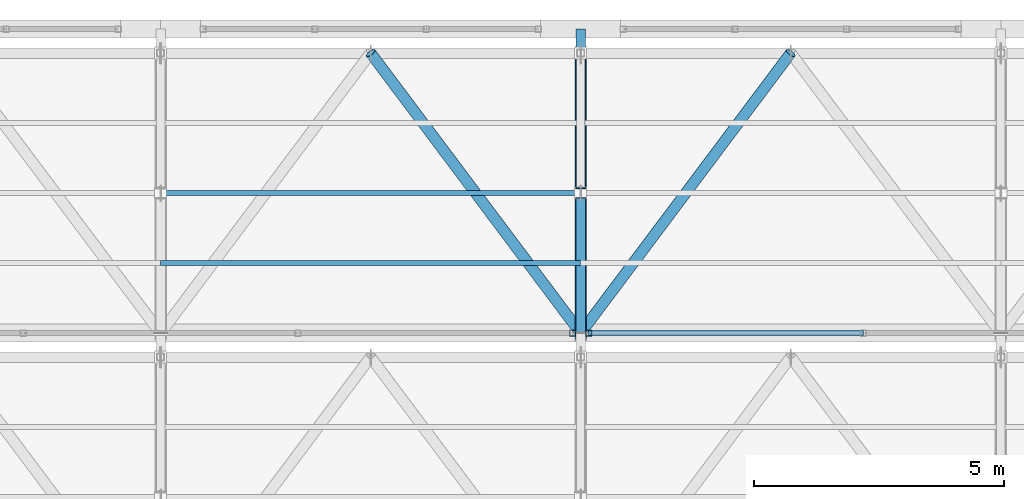
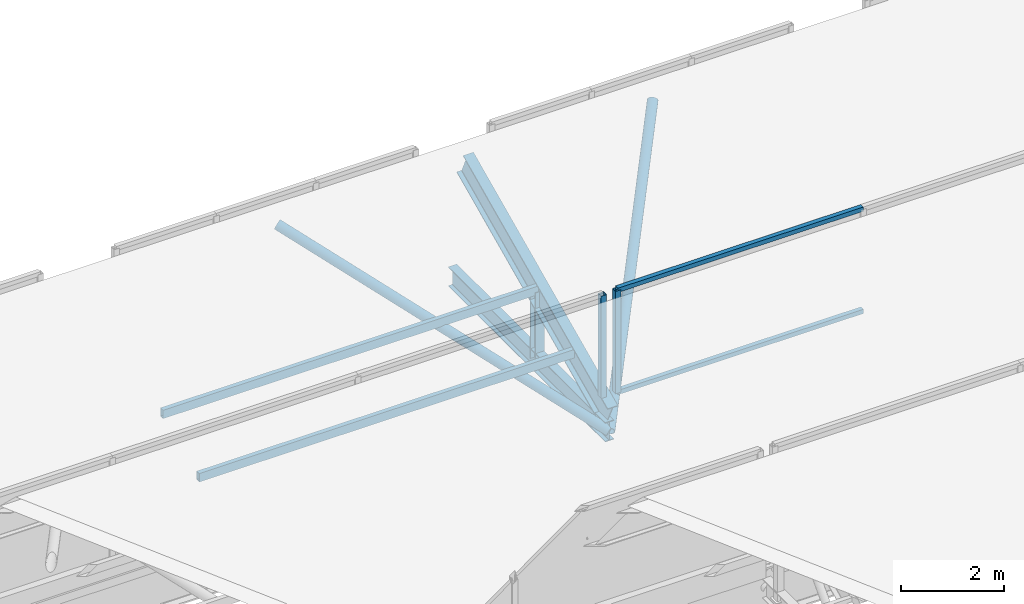
# One storey, part 124 of 217: 11 members, 2 elements without a shape of their own.
"""IFC4 building model written with IfcOpenShell, lengths in metres."""

from ifc_helpers import new_model, si_unit, direction, frame, origin, origin_2d, place, context, subcontext, project, spatial, hollow_rectangle, hollow_circle, i_section, extrude, material, material_profile, profile_set, type_object, element, aggregate, save


model = new_model("IFC4")

# Units and contexts
model_context = context("Model", 3, precision=1e-05, world=origin(), true_north=direction((0.0, 1.0)))
body_context = subcontext(model_context, "Body", "Model", "MODEL_VIEW")
ifc_project = project(units=[si_unit("LENGTHUNIT", "METRE"), si_unit("AREAUNIT", "SQUARE_METRE"), si_unit("VOLUMEUNIT", "CUBIC_METRE"), si_unit("PLANEANGLEUNIT", "RADIAN"), si_unit("MASSUNIT", "GRAM", prefix="KILO")], contexts=[model_context])

# Site, building, storey
site_placement = place(None, origin())
site = spatial("IfcSite", under=ifc_project, at=site_placement, CompositionType="ELEMENT")
building_placement = place(site_placement, origin())
building = spatial("IfcBuilding", under=site, at=building_placement, Name="Zuvorla Pavilion Media Centre", CompositionType="ELEMENT")
storey_placement = place(building_placement, frame((0.0, 0.0, 9.60009765625)))
storey = spatial("IfcBuildingStorey", under=building, at=storey_placement, Name="L02", CompositionType="ELEMENT", Elevation=9.60009765625)

# Curtain wall, member
ifc_material_1 = material(Name="Unitised anodised aluminium and solar glass curtain wall", Category="aluminium")
curtain_wall_type = type_object("IfcCurtainWallType", Name="CW-SYS-88", PredefinedType="USERDEFINED", material=ifc_material_1)
curtain_wall_1_placement = place(storey_placement, origin())
curtain_wall_1 = element("IfcCurtainWall", 1, at=curtain_wall_1_placement, inside=storey, type_object=curtain_wall_type, Name="L02 curtain wall CW88 214", ObjectType="CURTAIN WALL", PredefinedType="USERDEFINED")
ifc_material_2 = material(Name="Anodised aluminium 6063-T6", Category="aluminium")
ifc_material_profile_1 = material_profile(ifc_material_2, hollow_rectangle(XDim=0.1201171875, YDim=0.1201171875, WallThickness=0.0048828125, at=origin_2d()), Name="ALU MULL 120x120")
ifc_profile_set_1 = profile_set([ifc_material_profile_1], Name="Anodised aluminium 6063-T6")
member_type_1 = type_object("IfcMemberType", Name="CW-MULL-120", PredefinedType="MULLION", material=ifc_profile_set_1)
member_1_placement = place(storey_placement, frame((117.0400390625, 113.919921875, 0.0), z_axis=(0.0, 0.0, 1.0), x_axis=(1.0, 0.0, 0.0)))
member_1 = element("IfcMember", 2, at=member_1_placement, type_object=member_type_1, Name="CW88 mullion 4", PredefinedType="MULLION", context=body_context, shape_type="SweptSolid", body=[
    extrude(hollow_rectangle(XDim=0.1201171875, YDim=0.1201171875, WallThickness=0.0048828125, at=origin_2d()), origin(), (0.0, 0.0, 1.0), 2.419921875),
])
aggregate(curtain_wall_1, [member_1])

# Curtain wall, members
curtain_wall_2_placement = place(storey_placement, origin())
curtain_wall_2 = element("IfcCurtainWall", 3, at=curtain_wall_2_placement, inside=storey, type_object=curtain_wall_type, Name="L02 curtain wall CW88 215", ObjectType="CURTAIN WALL", PredefinedType="USERDEFINED")
member_2_placement = place(storey_placement, frame((117.360107421875, 113.919921875, 0.0), z_axis=(0.0, 0.0, 1.0), x_axis=(1.0, 0.0, 0.0)))
member_2 = element("IfcMember", 4, at=member_2_placement, type_object=member_type_1, Name="CW88 mullion 1", PredefinedType="MULLION", context=body_context, shape_type="SweptSolid", body=[
    extrude(hollow_rectangle(XDim=0.1201171875, YDim=0.1201171875, WallThickness=0.0048828125, at=origin_2d()), origin(), (0.0, 0.0, 1.0), 2.419921875),
])
ifc_material_profile_2 = material_profile(ifc_material_2, hollow_rectangle(XDim=0.10009765625, YDim=0.10009765625, WallThickness=0.00439453125, at=origin_2d()), Name="ALU TRAN 100x100")
ifc_profile_set_2 = profile_set([ifc_material_profile_2], Name="Anodised aluminium 6063-T6")
member_type_2 = type_object("IfcMemberType", Name="CW-TRAN-100", PredefinedType="USERDEFINED", material=ifc_profile_set_2)
member_3_placement = place(storey_placement, frame((117.360107421875, 113.919921875, 0.0), z_axis=(1.0, 0.0, 0.0), x_axis=(0.0, 1.0, 0.0)))
member_3 = element("IfcMember", 5, at=member_3_placement, type_object=member_type_2, Name="CW88 transom 1.1", ObjectType="TRANSOM", PredefinedType="USERDEFINED", context=body_context, shape_type="SweptSolid", body=[
    extrude(hollow_rectangle(XDim=0.10009765625, YDim=0.10009765625, WallThickness=0.00439453125, at=origin_2d()), origin(), (0.0, 0.0, 1.0), 5.4931640625),
])
member_4_placement = place(storey_placement, frame((117.360107421875, 113.919921875, 2.419921875), z_axis=(1.0, 0.0, 0.0), x_axis=(0.0, 1.0, 0.0)))
member_4 = element("IfcMember", 6, at=member_4_placement, type_object=member_type_2, Name="CW88 transom 1.2", ObjectType="TRANSOM", PredefinedType="USERDEFINED", context=body_context, shape_type="SweptSolid", body=[
    extrude(hollow_rectangle(XDim=0.10009765625, YDim=0.10009765625, WallThickness=0.00439453125, at=origin_2d()), origin(), (0.0, 0.0, 1.0), 5.4931640625),
])
aggregate(curtain_wall_2, [member_2, member_3, member_4])

# Members
ifc_material_3 = material(Name="Steel S355", Category="steel")
ifc_material_profile_3 = material_profile(ifc_material_3, hollow_circle(Radius=0.109619140625, WallThickness=0.010009765625, at=origin_2d()), Name="CHS 219.1x10")
ifc_profile_set_3 = profile_set([ifc_material_profile_3], Name="Steel S355")
member_type_3 = type_object("IfcMemberType", Name="MEM-BRC-CHS219", PredefinedType="BRACE", material=ifc_profile_set_3)
for number, where, z_axis, x_axis, name in (
    (7, (113.0, 119.52001953125, 2.08349609375), (0.552511596944, -0.736703540702, -0.389870271191), (0.800008370399, 0.599988839305, 0.0), "L02 diagonal brace TB02 482"),
    (8, (117.199951171875, 113.919921875, -0.880126953125), (0.552511596944, 0.736703540702, 0.389870271191), (-0.800008370399, 0.599988839305, 0.0), "L02 diagonal brace TB02 487"),
):
    element("IfcMember", number, at=place(storey_placement, frame(where, z_axis=z_axis, x_axis=x_axis)), inside=storey, type_object=member_type_3, Name=name, PredefinedType="BRACE", context=body_context, shape_type="SweptSolid", body=[
        extrude(hollow_circle(Radius=0.109619140625, WallThickness=0.010009765625, at=origin_2d()), origin(), (0.0, 0.0, 1.0), 7.6015625),
    ])
ifc_material_profile_4 = material_profile(ifc_material_3, i_section(OverallWidth=0.19140625, OverallDepth=0.4599609375, WebThickness=0.010009765625, FlangeThickness=0.01611328125, FilletRadius=0.01025390625, at=origin_2d()), Name="UB 457x191x82")
ifc_profile_set_4 = profile_set([ifc_material_profile_4], Name="Steel S355")
member_type_4 = type_object("IfcMemberType", Name="MEM-CHD-UB457", PredefinedType="CHORD", material=ifc_profile_set_4)
member_5_placement = place(storey_placement, frame((117.199951171875, 113.919921875, -0.880126953125), z_axis=(0.0, 1.0, 0.0), x_axis=(-1.0, 0.0, 0.0)))
element("IfcMember", 9, at=member_5_placement, inside=storey, type_object=member_type_4, Name="L02 chord TC03 435", PredefinedType="CHORD", context=body_context, shape_type="SweptSolid", body=[
    extrude(i_section(OverallWidth=0.19140625, OverallDepth=0.4599609375, WebThickness=0.010009765625, FlangeThickness=0.01611328125, FilletRadius=0.01025390625, at=origin_2d()), origin(), (0.0, 0.0, 1.0), 6.080078125),
])
ifc_material_profile_5 = material_profile(ifc_material_3, i_section(OverallWidth=0.22900390625, OverallDepth=0.6123046875, WebThickness=0.011962890625, FlangeThickness=0.01953125, FilletRadius=0.0126953125, at=origin_2d()), Name="UB 610x229x125")
ifc_profile_set_5 = profile_set([ifc_material_profile_5], Name="Steel S355")
member_type_5 = type_object("IfcMemberType", Name="MEM-CHD-UB610", PredefinedType="CHORD", material=ifc_profile_set_5)
member_6_placement = place(storey_placement, frame((117.199951171875, 113.919921875, -0.5166015625), z_axis=(0.0, 0.907005731366, 0.421118277053), x_axis=(-1.0, 0.0, 0.0)))
element("IfcMember", 10, at=member_6_placement, inside=storey, type_object=member_type_5, Name="L02 chord TC01 436", PredefinedType="CHORD", context=body_context, shape_type="SweptSolid", body=[
    extrude(i_section(OverallWidth=0.22900390625, OverallDepth=0.6123046875, WebThickness=0.011962890625, FlangeThickness=0.01953125, FilletRadius=0.0126953125, at=origin_2d()), origin(), (0.0, 0.0, 1.0), 6.17431640625),
])
ifc_material_profile_6 = material_profile(ifc_material_3, hollow_rectangle(XDim=0.10009765625, YDim=0.199951171875, WallThickness=0.008056640625, at=origin_2d()), Name="RHS 200x100x8")
ifc_profile_set_6 = profile_set([ifc_material_profile_6], Name="Steel S355")
member_type_6 = type_object("IfcMemberType", Name="MEM-PUR-RHS200", PredefinedType="PURLIN", material=ifc_profile_set_6)
for number, where, z_axis, x_axis, name in (
    (11, (108.800048828125, 115.320068359375, 0.133544921875), (1.0, 0.0, 0.0), (0.0, 1.0, 0.0), "L02 purlin PR01 483"),
    (12, (108.800048828125, 116.719970703125, 0.783447265625), (1.0, 0.0, 0.0), (0.0, 1.0, 0.0), "L02 purlin PR01 484"),
):
    element("IfcMember", number, at=place(storey_placement, frame(where, z_axis=z_axis, x_axis=x_axis)), inside=storey, type_object=member_type_6, Name=name, PredefinedType="PURLIN", context=body_context, shape_type="SweptSolid", body=[
        extrude(hollow_rectangle(XDim=0.10009765625, YDim=0.199951171875, WallThickness=0.008056640625, at=origin_2d()), origin(), (0.0, 0.0, 1.0), 8.39990234375),
    ])
ifc_material_profile_7 = material_profile(ifc_material_3, i_section(OverallWidth=0.205810546875, OverallDepth=0.209716796875, WebThickness=0.009521484375, FlangeThickness=0.01416015625, FilletRadius=0.01025390625, at=origin_2d()), Name="UC 203x203x60")
ifc_profile_set_7 = profile_set([ifc_material_profile_7], Name="Steel S355")
member_type_7 = type_object("IfcMemberType", Name="MEM-STR-UC203", PredefinedType="STRUT", material=ifc_profile_set_7)
member_7_placement = place(storey_placement, frame((117.199951171875, 116.719970703125, -0.880126953125), z_axis=(0.0, 0.0, 1.0), x_axis=(1.0, 0.0, 0.0)))
element("IfcMember", 13, at=member_7_placement, inside=storey, type_object=member_type_7, Name="L02 vertical strut TS02 439", PredefinedType="STRUT", context=body_context, shape_type="SweptSolid", body=[
    extrude(i_section(OverallWidth=0.205810546875, OverallDepth=0.209716796875, WebThickness=0.009521484375, FlangeThickness=0.01416015625, FilletRadius=0.01025390625, at=origin_2d()), origin(), (0.0, 0.0, 1.0), 1.66357421875),
])

save(model, "model.ifc")
